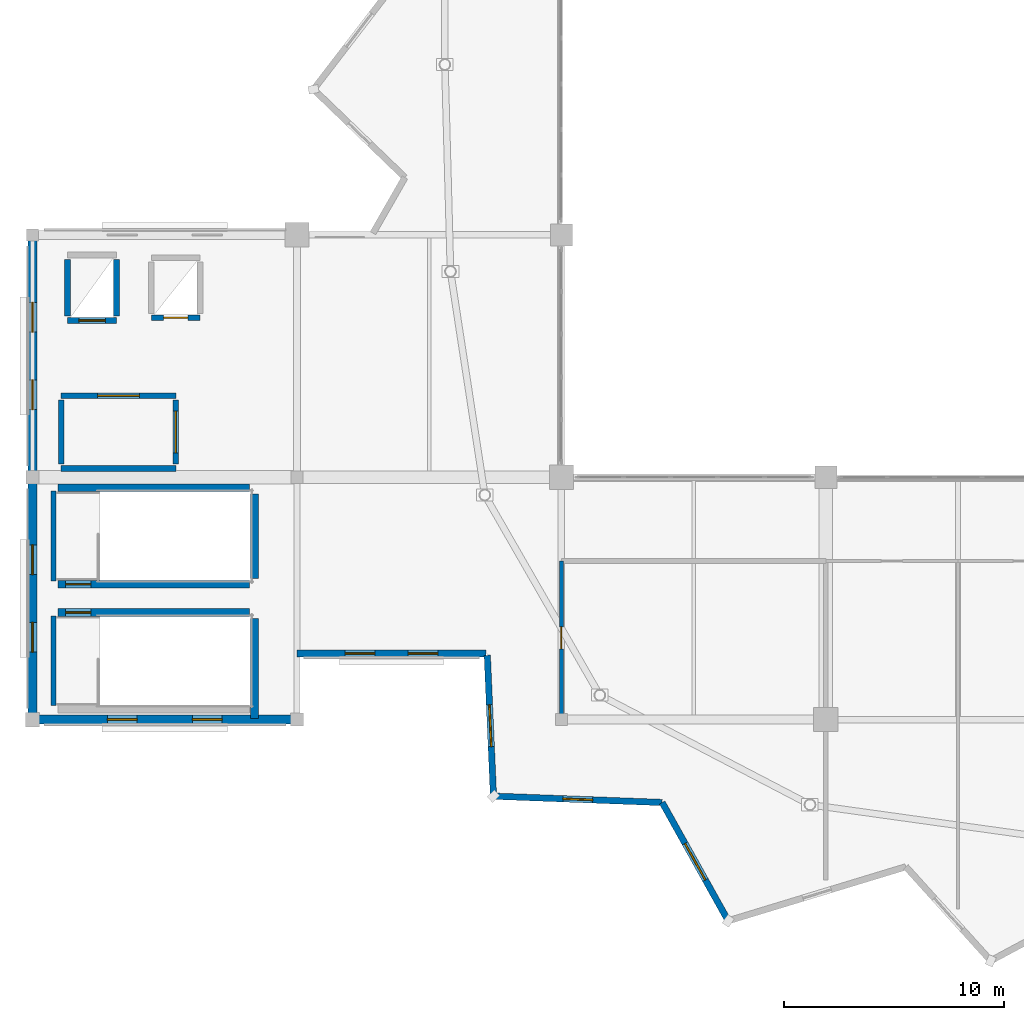
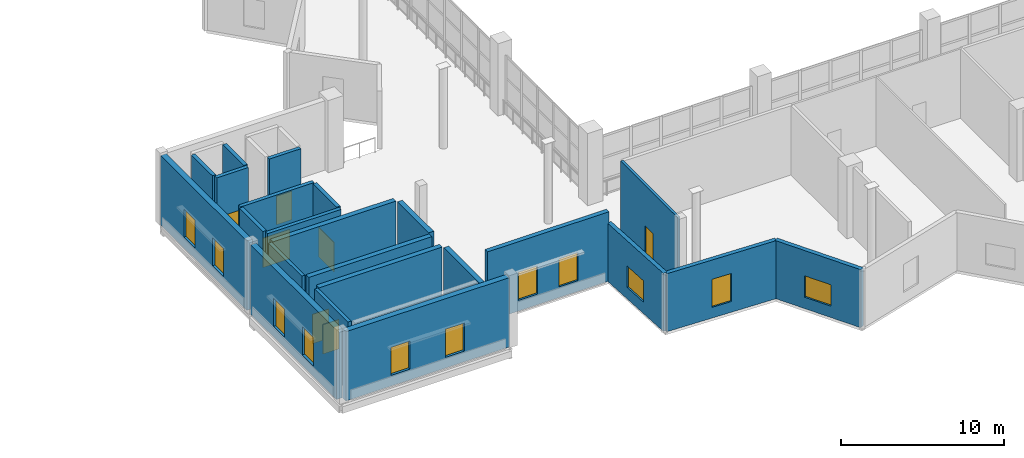
# One storey, part 36 of 49: 23 walls, 11 windows, 7 doors, 18 openings.
"""IFC4 building model written with IfcOpenShell, lengths in metres."""

from ifc_helpers import new_model, si_unit, direction, frame, frame_2d, origin, place, context, subcontext, project, spatial, rectangle, extrude, material, layer, layer_set, type_object, element, fill, save


model = new_model("IFC4")

# Units and contexts
model_context = context("Model", 3, precision=1e-05, world=origin(), true_north=direction((0.0, 1.0)))
body_context = subcontext(model_context, "Body", "Model", "MODEL_VIEW")
ifc_project = project(units=[si_unit("LENGTHUNIT", "METRE"), si_unit("AREAUNIT", "SQUARE_METRE"), si_unit("VOLUMEUNIT", "CUBIC_METRE"), si_unit("PLANEANGLEUNIT", "RADIAN"), si_unit("MASSUNIT", "GRAM", prefix="KILO")], contexts=[model_context])

# Site, building, storey
site_placement = place(None, origin())
site = spatial("IfcSite", under=ifc_project, at=site_placement, CompositionType="ELEMENT")
building_placement = place(site_placement, origin())
building = spatial("IfcBuilding", under=site, at=building_placement, Name="Luwafu Chhajja Arena", CompositionType="ELEMENT")
storey_placement = place(building_placement, frame((0.0, 0.0, 24.300048828125)))
storey = spatial("IfcBuildingStorey", under=building, at=storey_placement, Name="L05", CompositionType="ELEMENT", Elevation=24.300048828125)

# Wall, opening, door
ifc_material_1 = material(Name="Concrete C40/50", Category="concrete")
ifc_layer_1 = layer(ifc_material_1, 0.260009765625, Name="Concrete C40/50")
ifc_layer_set_1 = layer_set([ifc_layer_1], Name="Concrete C40/50")
wall_type_1 = type_object("IfcWallType", Name="Firefighting Lobby Wall 260", PredefinedType="SOLIDWALL", material=ifc_layer_set_1)
wall_1_placement = place(storey_placement, frame((35.300048828125, 25.699951171875, 0.0), z_axis=(0.0, 0.0, 1.0), x_axis=(1.0, 0.0, 0.0)))
wall_1 = element("IfcWall", 1, at=wall_1_placement, inside=storey, type_object=wall_type_1, Name="L05 Core C1 Firefighting Lobby Wall N", PredefinedType="SOLIDWALL", context=body_context, shape_type="SweptSolid", body=[
    extrude(rectangle(XDim=5.199951171875, YDim=0.260009765625, at=frame_2d((2.60009765625, 0.0))), origin(), (0.0, 0.0, 1.0), 5.179931640625),
])
opening_1_placement = place(wall_1_placement, frame((1.64990234375, 0.0, 0.0)))
opening_1 = element("IfcOpeningElement", 2, at=opening_1_placement, cuts=wall_1, Name="Opening DR-07", PredefinedType="OPENING", context=body_context, shape_type="SweptSolid", body=[
    extrude(rectangle(XDim=1.89990234375, YDim=2.199951171875, at=frame_2d((0.949951171875, 1.10009765625))), frame((0.0, 0.139892578125, 0.0), z_axis=(0.0, -1.0, 0.0), x_axis=(1.0, 0.0, 0.0)), (0.0, 0.0, 1.0), 0.280029296875),
])
ifc_material_2 = material(Name="Fire-rated hardwood and vision panel", Category="wood")
door_type_1 = type_object("IfcDoorType", Name="DR-07", OperationType="DOUBLE_DOOR_SINGLE_SWING", PredefinedType="DOOR", material=ifc_material_2)
door_1_placement = place(opening_1_placement, origin())
door_1 = element("IfcDoor", 3, at=door_1_placement, inside=storey, type_object=door_type_1, Name="L05 Firefighting Lobby C1 Door L05-D003", OperationType="DOUBLE_DOOR_SINGLE_SWING", OverallHeight=2.199951171875, OverallWidth=1.89990234375, PredefinedType="DOOR", context=body_context, shape_type="SweptSolid", body=[
    extrude(rectangle(XDim=1.89990234375, YDim=2.199951171875, at=frame_2d((0.949951171875, 1.10009765625))), frame((0.0, 0.02490234375, 0.0), z_axis=(0.0, -1.0, 0.0), x_axis=(1.0, 0.0, 0.0)), (0.0, 0.0, 1.0), 0.050048828125),
])
fill(opening_1, door_1)

# Walls
wall_2_placement = place(storey_placement, frame((35.300048828125, 22.39990234375, 0.0), z_axis=(0.0, 0.0, 1.0), x_axis=(1.0, 0.0, 0.0)))
element("IfcWall", 4, at=wall_2_placement, inside=storey, type_object=wall_type_1, Name="L05 Core C1 Firefighting Lobby Wall S", PredefinedType="SOLIDWALL", context=body_context, shape_type="SweptSolid", body=[
    extrude(rectangle(XDim=5.199951171875, YDim=0.260009765625, at=frame_2d((2.60009765625, 0.0))), origin(), (0.0, 0.0, 1.0), 5.179931640625),
])
wall_3_placement = place(storey_placement, frame((35.300048828125, 22.60009765625, 0.0), z_axis=(0.0, 0.0, 1.0), x_axis=(0.0, 1.0, 0.0)))
element("IfcWall", 5, at=wall_3_placement, inside=storey, type_object=wall_type_1, Name="L05 Core C1 Firefighting Lobby Wall W", PredefinedType="SOLIDWALL", context=body_context, shape_type="SweptSolid", body=[
    extrude(rectangle(XDim=2.89990234375, YDim=0.260009765625, at=frame_2d((1.449951171875, 0.0))), origin(), (0.0, 0.0, 1.0), 5.179931640625),
])

# Wall, opening, door
wall_4_placement = place(storey_placement, frame((40.5, 22.60009765625, 0.0), z_axis=(0.0, 0.0, 1.0), x_axis=(0.0, 1.0, 0.0)))
wall_4 = element("IfcWall", 6, at=wall_4_placement, inside=storey, type_object=wall_type_1, Name="L05 Core C1 Firefighting Lobby Wall E", PredefinedType="SOLIDWALL", context=body_context, shape_type="SweptSolid", body=[
    extrude(rectangle(XDim=2.89990234375, YDim=0.260009765625, at=frame_2d((1.449951171875, 0.0))), origin(), (0.0, 0.0, 1.0), 5.179931640625),
])
opening_2_placement = place(wall_4_placement, frame((0.5, 0.0, 0.0)))
opening_2 = element("IfcOpeningElement", 7, at=opening_2_placement, cuts=wall_4, Name="Opening DR-07", PredefinedType="OPENING", context=body_context, shape_type="SweptSolid", body=[
    extrude(rectangle(XDim=1.89990234375, YDim=2.199951171875, at=frame_2d((0.949951171875, 1.10009765625))), frame((0.0, 0.139892578125, 0.0), z_axis=(0.0, -1.0, 0.0), x_axis=(1.0, 0.0, 0.0)), (0.0, 0.0, 1.0), 0.280029296875),
])
door_2_placement = place(opening_2_placement, origin())
door_2 = element("IfcDoor", 8, at=door_2_placement, inside=storey, type_object=door_type_1, Name="L05 Firefighting Lobby C1 Door L05-D004", OperationType="DOUBLE_DOOR_SINGLE_SWING", OverallHeight=2.199951171875, OverallWidth=1.89990234375, PredefinedType="DOOR", context=body_context, shape_type="SweptSolid", body=[
    extrude(rectangle(XDim=1.89990234375, YDim=2.199951171875, at=frame_2d((0.949951171875, 1.10009765625))), frame((0.0, 0.02490234375, 0.0), z_axis=(0.0, -1.0, 0.0), x_axis=(1.0, 0.0, 0.0)), (0.0, 0.0, 1.0), 0.050048828125),
])
fill(opening_2, door_2)

ifc_material_3 = material(Name="Concrete blockwork masonry", Category="masonry")
ifc_layer_2 = layer(ifc_material_3, 0.179931640625, Name="Concrete blockwork masonry")
ifc_layer_set_2 = layer_set([ifc_layer_2], Name="Concrete blockwork masonry")
wall_type_2 = type_object("IfcWallType", Name="Hospitality Suite Partition 180", PredefinedType="PARTITIONING", material=ifc_layer_set_2)
wall_5_placement = place(storey_placement, frame((58.0, 11.219970703125, 0.0), z_axis=(0.0, 0.0, 1.0), x_axis=(0.0, 1.0, 0.0)))
wall_5 = element("IfcWall", 9, at=wall_5_placement, inside=storey, type_object=wall_type_2, Name="L05 Internal Partition 0336", PredefinedType="PARTITIONING", context=body_context, shape_type="SweptSolid", body=[
    extrude(rectangle(XDim=6.97998046875, YDim=0.179931640625, at=frame_2d((3.489990234375, 0.0))), origin(), (0.0, 0.0, 1.0), 5.179931640625),
])
opening_3_placement = place(wall_5_placement, frame((2.989990234375, 0.0, 0.0)))
opening_3 = element("IfcOpeningElement", 10, at=opening_3_placement, cuts=wall_5, Name="Opening DR-18", PredefinedType="OPENING", context=body_context, shape_type="SweptSolid", body=[
    extrude(rectangle(XDim=1.0, YDim=2.14990234375, at=frame_2d((0.5, 1.074951171875))), frame((0.0, 0.099853515625, 0.0), z_axis=(0.0, -1.0, 0.0), x_axis=(1.0, 0.0, 0.0)), (0.0, 0.0, 1.0), 0.199951171875),
])
ifc_material_4 = material(Name="Solid-core moisture-resistant laminate leaf")
door_type_2 = type_object("IfcDoorType", Name="DR-18", OperationType="NOTDEFINED", PredefinedType="DOOR", material=ifc_material_4)
door_3_placement = place(opening_3_placement, origin())
door_3 = element("IfcDoor", 11, at=door_3_placement, inside=storey, type_object=door_type_2, Name="L05 Interior Door L05-D017", OperationType="SINGLE_SWING_RIGHT", OverallHeight=2.14990234375, OverallWidth=1.0, PredefinedType="DOOR", context=body_context, shape_type="SweptSolid", body=[
    extrude(rectangle(XDim=1.0, YDim=2.14990234375, at=frame_2d((0.5, 1.074951171875))), frame((0.0, 0.02490234375, 0.0), z_axis=(0.0, -1.0, 0.0), x_axis=(1.0, 0.0, 0.0)), (0.0, 0.0, 1.0), 0.050048828125),
])
fill(opening_3, door_3)

ifc_material_5 = material(Name="Concrete C35/45", Category="concrete")
ifc_layer_3 = layer(ifc_material_5, 0.260009765625, Name="Concrete C35/45")
ifc_layer_set_3 = layer_set([ifc_layer_3], Name="Concrete C35/45")
wall_type_3 = type_object("IfcWallType", Name="Lift and Riser Shaft Wall 260", PredefinedType="SOLIDWALL", material=ifc_layer_set_3)
wall_6_placement = place(storey_placement, frame((35.590087890625, 29.114990234375, 0.0), z_axis=(0.0, 0.0, 1.0), x_axis=(1.0, 0.0, 0.0)))
wall_6 = element("IfcWall", 12, at=wall_6_placement, inside=storey, type_object=wall_type_3, Name="L05 Lift LF-01 Shaft Wall S", PredefinedType="SOLIDWALL", context=body_context, shape_type="SweptSolid", body=[
    extrude(rectangle(XDim=2.219970703125, YDim=0.260009765625, at=frame_2d((1.10986328125, 0.0))), origin(), (0.0, 0.0, 1.0), 5.179931640625),
])
opening_4_placement = place(wall_6_placement, frame((0.510009765625, 0.0, 0.0)))
opening_4 = element("IfcOpeningElement", 13, at=opening_4_placement, cuts=wall_6, Name="Opening LD-02", PredefinedType="OPENING", context=body_context, shape_type="SweptSolid", body=[
    extrude(rectangle(XDim=1.199951171875, YDim=2.199951171875, at=frame_2d((0.60009765625, 1.10009765625))), frame((0.0, 0.139892578125, 0.0), z_axis=(0.0, -1.0, 0.0), x_axis=(1.0, 0.0, 0.0)), (0.0, 0.0, 1.0), 0.280029296875),
])
ifc_material_6 = material(Name="Brushed stainless steel sliding leaves", Category="steel")
door_type_3 = type_object("IfcDoorType", Name="LD-02", OperationType="SLIDING_TO_LEFT", PredefinedType="DOOR", material=ifc_material_6)
door_4_placement = place(opening_4_placement, origin())
door_4 = element("IfcDoor", 14, at=door_4_placement, inside=storey, type_object=door_type_3, Name="L05 Lift LF-01 Landing Door L05-LD01", OperationType="SLIDING_TO_LEFT", OverallHeight=2.199951171875, OverallWidth=1.199951171875, PredefinedType="DOOR", context=body_context, shape_type="SweptSolid", body=[
    extrude(rectangle(XDim=1.199951171875, YDim=2.199951171875, at=frame_2d((0.60009765625, 1.10009765625))), frame((0.0, 0.02490234375, 0.0), z_axis=(0.0, -1.0, 0.0), x_axis=(1.0, 0.0, 0.0)), (0.0, 0.0, 1.0), 0.050048828125),
])
fill(opening_4, door_4)

# Walls
for number, where, z_axis, x_axis, name in (
    (15, (35.590087890625, 29.31494140625, 0.0), (0.0, 0.0, 1.0), (0.0, 1.0, 0.0), "L05 Lift LF-01 Shaft Wall W"),
    (16, (37.81005859375, 29.31494140625, 0.0), (0.0, 0.0, 1.0), (0.0, 1.0, 0.0), "L05 Lift LF-01 Shaft Wall E"),
):
    element("IfcWall", number, at=place(storey_placement, frame(where, z_axis=z_axis, x_axis=x_axis)), inside=storey, type_object=wall_type_3, Name=name, PredefinedType="SOLIDWALL", context=body_context, shape_type="SweptSolid", body=[
        extrude(rectangle(XDim=2.570068359375, YDim=0.260009765625, at=frame_2d((1.28515625, 0.0))), origin(), (0.0, 0.0, 1.0), 5.179931640625),
    ])

# Wall, opening, door
wall_7_placement = place(storey_placement, frame((39.389892578125, 29.239990234375, 0.0), z_axis=(0.0, 0.0, 1.0), x_axis=(1.0, 0.0, 0.0)))
wall_7 = element("IfcWall", 17, at=wall_7_placement, inside=storey, type_object=wall_type_3, Name="L05 Lift LF-05 Shaft Wall S", PredefinedType="SOLIDWALL", context=body_context, shape_type="SweptSolid", body=[
    extrude(rectangle(XDim=2.22021484375, YDim=0.260009765625, at=frame_2d((1.110107421875, 0.0))), origin(), (0.0, 0.0, 1.0), 5.179931640625),
])
opening_5_placement = place(wall_7_placement, frame((0.56005859375, 0.0, 0.0)))
opening_5 = element("IfcOpeningElement", 18, at=opening_5_placement, cuts=wall_7, Name="Opening LD-01", PredefinedType="OPENING", context=body_context, shape_type="SweptSolid", body=[
    extrude(rectangle(XDim=1.10009765625, YDim=2.14990234375, at=frame_2d((0.550048828125, 1.074951171875))), frame((0.0, 0.139892578125, 0.0), z_axis=(0.0, -1.0, 0.0), x_axis=(1.0, 0.0, 0.0)), (0.0, 0.0, 1.0), 0.280029296875),
])
door_type_4 = type_object("IfcDoorType", Name="LD-01", OperationType="SLIDING_TO_LEFT", PredefinedType="DOOR", material=ifc_material_6)
door_5_placement = place(opening_5_placement, origin())
door_5 = element("IfcDoor", 19, at=door_5_placement, inside=storey, type_object=door_type_4, Name="L05 Lift LF-05 Landing Door L05-LD02", OperationType="SLIDING_TO_LEFT", OverallHeight=2.14990234375, OverallWidth=1.10009765625, PredefinedType="DOOR", context=body_context, shape_type="SweptSolid", body=[
    extrude(rectangle(XDim=1.10009765625, YDim=2.14990234375, at=frame_2d((0.550048828125, 1.074951171875))), frame((0.0, 0.02490234375, 0.0), z_axis=(0.0, -1.0, 0.0), x_axis=(1.0, 0.0, 0.0)), (0.0, 0.0, 1.0), 0.050048828125),
])
fill(opening_5, door_5)

# Wall, opening, window
ifc_material_7 = material(Name="Precast concrete C40/50", Category="concrete")
ifc_layer_4 = layer(ifc_material_7, 0.2900390625, Name="Precast concrete C40/50")
ifc_layer_set_4 = layer_set([ifc_layer_4], Name="Precast concrete C40/50")
wall_type_4 = type_object("IfcWallType", Name="Pleated Bowl Upper V-Fold Wall 290", PredefinedType="USERDEFINED", material=ifc_layer_set_4)
wall_8_placement = place(storey_placement, frame((54.637451171875, 13.919921875, 0.0), z_axis=(0.0, 0.0, 1.0), x_axis=(0.043587819379, -0.99904959937, 0.0)))
wall_8 = element("IfcWall", 20, at=wall_8_placement, inside=storey, type_object=wall_type_4, Name="L05 Pleated Bowl V-Fold Wall 40", ObjectType="PLEATED FACADE WALL", PredefinedType="USERDEFINED", context=body_context, shape_type="SweptSolid", body=[
    extrude(rectangle(XDim=6.402099609375, YDim=0.2900390625, at=frame_2d((3.201171875, 0.0))), origin(), (0.0, 0.0, 1.0), 4.33984375),
])
opening_6_placement = place(wall_8_placement, frame((2.2509765625, 0.0, 0.85009765625)))
opening_6 = element("IfcOpeningElement", 21, at=opening_6_placement, cuts=wall_8, Name="Opening WN-15", PredefinedType="OPENING", context=body_context, shape_type="SweptSolid", body=[
    extrude(rectangle(XDim=1.89990234375, YDim=1.60009765625, at=frame_2d((0.949951171875, 0.800048828125))), frame((0.0, 0.155029296875, 0.0), z_axis=(0.0, -1.0, 0.0), x_axis=(1.0, 0.0, 0.0)), (0.0, 0.0, 1.0), 0.31005859375),
])
ifc_material_8 = material(Name="Solar-control laminated glass", Category="glass")
window_type_1 = type_object("IfcWindowType", Name="Pleated Drum Inward-Fold Clerestory 1900x1600", PartitioningType="SINGLE_PANEL", PredefinedType="WINDOW", material=ifc_material_8)
window_1_placement = place(opening_6_placement, origin())
window_1 = element("IfcWindow", 22, at=window_1_placement, inside=storey, type_object=window_type_1, Name="L05 Pleated Bowl Lancet Window 160", OverallHeight=1.60009765625, OverallWidth=1.89990234375, PartitioningType="SINGLE_PANEL", PredefinedType="WINDOW", context=body_context, shape_type="SweptSolid", body=[
    extrude(rectangle(XDim=1.89990234375, YDim=1.60009765625, at=frame_2d((0.949951171875, 0.800048828125))), frame((0.0, 0.030029296875, 0.0), z_axis=(0.0, -1.0, 0.0), x_axis=(1.0, 0.0, 0.0)), (0.0, 0.0, 1.0), 0.06005859375),
])
fill(opening_6, window_1)

wall_9_placement = place(storey_placement, frame((54.91650390625, 7.52392578125, 0.0), z_axis=(0.0, 0.0, 1.0), x_axis=(0.999297884119, -0.037466502319, 0.0)))
wall_9 = element("IfcWall", 23, at=wall_9_placement, inside=storey, type_object=wall_type_4, Name="L05 Pleated Bowl V-Fold Wall 41", ObjectType="PLEATED FACADE WALL", PredefinedType="USERDEFINED", context=body_context, shape_type="SweptSolid", body=[
    extrude(rectangle(XDim=7.6630859375, YDim=0.2900390625, at=frame_2d((3.83154296875, 0.0))), origin(), (0.0, 0.0, 1.0), 4.33984375),
])
opening_7_placement = place(wall_9_placement, frame((3.156494140625, 0.0, 0.800048828125)))
opening_7 = element("IfcOpeningElement", 24, at=opening_7_placement, cuts=wall_9, Name="Opening WN-17", PredefinedType="OPENING", context=body_context, shape_type="SweptSolid", body=[
    extrude(rectangle(XDim=1.35009765625, YDim=2.10009765625, at=frame_2d((0.675048828125, 1.050048828125))), frame((0.0, 0.155029296875, 0.0), z_axis=(0.0, -1.0, 0.0), x_axis=(1.0, 0.0, 0.0)), (0.0, 0.0, 1.0), 0.31005859375),
])
window_type_2 = type_object("IfcWindowType", Name="Exhibition Mezzanine Lancet Window 1350x2100", PartitioningType="SINGLE_PANEL", PredefinedType="WINDOW", material=ifc_material_8)
window_2_placement = place(opening_7_placement, origin())
window_2 = element("IfcWindow", 25, at=window_2_placement, inside=storey, type_object=window_type_2, Name="L05 Pleated Bowl Lancet Window 161", OverallHeight=2.10009765625, OverallWidth=1.35009765625, PartitioningType="SINGLE_PANEL", PredefinedType="WINDOW", context=body_context, shape_type="SweptSolid", body=[
    extrude(rectangle(XDim=1.35009765625, YDim=2.10009765625, at=frame_2d((0.675048828125, 1.050048828125))), frame((0.0, 0.030029296875, 0.0), z_axis=(0.0, -1.0, 0.0), x_axis=(1.0, 0.0, 0.0)), (0.0, 0.0, 1.0), 0.06005859375),
])
fill(opening_7, window_2)

wall_10_placement = place(storey_placement, frame((62.57421875, 7.23681640625, 0.0), z_axis=(0.0, 0.0, 1.0), x_axis=(0.487306352228, -0.87323108, 0.0)))
wall_10 = element("IfcWall", 26, at=wall_10_placement, inside=storey, type_object=wall_type_4, Name="L05 Pleated Bowl V-Fold Wall 42", ObjectType="PLEATED FACADE WALL", PredefinedType="USERDEFINED", context=body_context, shape_type="SweptSolid", body=[
    extrude(rectangle(XDim=6.15283203125, YDim=0.2900390625, at=frame_2d((3.076416015625, 0.0))), origin(), (0.0, 0.0, 1.0), 4.33984375),
])
opening_8_placement = place(wall_10_placement, frame((2.12646484375, 0.0, 0.85009765625)))
opening_8 = element("IfcOpeningElement", 27, at=opening_8_placement, cuts=wall_10, Name="Opening WN-15", PredefinedType="OPENING", context=body_context, shape_type="SweptSolid", body=[
    extrude(rectangle(XDim=1.89990234375, YDim=1.60009765625, at=frame_2d((0.949951171875, 0.800048828125))), frame((0.0, 0.155029296875, 0.0), z_axis=(0.0, -1.0, 0.0), x_axis=(1.0, 0.0, 0.0)), (0.0, 0.0, 1.0), 0.31005859375),
])
window_3_placement = place(opening_8_placement, origin())
window_3 = element("IfcWindow", 28, at=window_3_placement, inside=storey, type_object=window_type_1, Name="L05 Pleated Bowl Lancet Window 162", OverallHeight=1.60009765625, OverallWidth=1.89990234375, PartitioningType="SINGLE_PANEL", PredefinedType="WINDOW", context=body_context, shape_type="SweptSolid", body=[
    extrude(rectangle(XDim=1.89990234375, YDim=1.60009765625, at=frame_2d((0.949951171875, 0.800048828125))), frame((0.0, 0.030029296875, 0.0), z_axis=(0.0, -1.0, 0.0), x_axis=(1.0, 0.0, 0.0)), (0.0, 0.0, 1.0), 0.06005859375),
])
fill(opening_8, window_3)

# Wall
ifc_layer_5 = layer(ifc_material_1, 0.35009765625, Name="Concrete C40/50")
ifc_layer_set_5 = layer_set([ifc_layer_5], Name="Concrete C40/50")
wall_type_5 = type_object("IfcWallType", Name="RC Core Shear Wall 350", PredefinedType="SOLIDWALL", material=ifc_layer_set_5)
wall_11_placement = place(storey_placement, frame((44.072021484375, 11.050048828125, 0.0), z_axis=(0.0, 0.0, 1.0), x_axis=(0.0, 1.0, 0.0)))
element("IfcWall", 29, at=wall_11_placement, inside=storey, type_object=wall_type_5, Name="L05 Stair ST-01 Core Shear Wall E", PredefinedType="SOLIDWALL", context=body_context, shape_type="SweptSolid", body=[
    extrude(rectangle(XDim=4.5400390625, YDim=0.35009765625, at=frame_2d((2.27001953125, 0.0))), origin(), (0.0, 0.0, 1.0), 5.179931640625),
])

# Wall, opening, door
wall_12_placement = place(storey_placement, frame((35.14990234375, 15.862060546875, 0.0), z_axis=(0.0, 0.0, 1.0), x_axis=(1.0, 0.0, 0.0)))
wall_12 = element("IfcWall", 30, at=wall_12_placement, inside=storey, type_object=wall_type_5, Name="L05 Stair ST-01 Core Shear Wall N", PredefinedType="SOLIDWALL", context=body_context, shape_type="SweptSolid", body=[
    extrude(rectangle(XDim=8.7001953125, YDim=0.35009765625, at=frame_2d((4.35009765625, 0.0))), origin(), (0.0, 0.0, 1.0), 5.179931640625),
])
opening_9_placement = place(wall_12_placement, frame((0.35009765625, 0.0, 0.0)))
opening_9 = element("IfcOpeningElement", 31, at=opening_9_placement, cuts=wall_12, Name="Opening DR-06", PredefinedType="OPENING", context=body_context, shape_type="SweptSolid", body=[
    extrude(rectangle(XDim=1.14990234375, YDim=2.199951171875, at=frame_2d((0.574951171875, 1.10009765625))), frame((0.0, 0.18505859375, 0.0), z_axis=(0.0, -1.0, 0.0), x_axis=(1.0, 0.0, 0.0)), (0.0, 0.0, 1.0), 0.3701171875),
])
ifc_material_9 = material(Name="Fire-rated hardwood and steel core", Category="steel")
door_type_5 = type_object("IfcDoorType", Name="DR-06", OperationType="NOTDEFINED", PredefinedType="DOOR", material=ifc_material_9)
door_6_placement = place(opening_9_placement, origin())
door_6 = element("IfcDoor", 32, at=door_6_placement, inside=storey, type_object=door_type_5, Name="L05 Escape Stair ST-01 Fire Door L05-D001", OperationType="SINGLE_SWING_RIGHT", OverallHeight=2.199951171875, OverallWidth=1.14990234375, PredefinedType="DOOR", context=body_context, shape_type="SweptSolid", body=[
    extrude(rectangle(XDim=1.14990234375, YDim=2.199951171875, at=frame_2d((0.574951171875, 1.10009765625))), frame((0.0, 0.02490234375, 0.0), z_axis=(0.0, -1.0, 0.0), x_axis=(1.0, 0.0, 0.0)), (0.0, 0.0, 1.0), 0.050048828125),
])
fill(opening_9, door_6)

# Wall
wall_13_placement = place(storey_placement, frame((44.072021484375, 17.409912109375, 0.0), z_axis=(0.0, 0.0, 1.0), x_axis=(0.0, 1.0, 0.0)))
element("IfcWall", 33, at=wall_13_placement, inside=storey, type_object=wall_type_5, Name="L05 Stair ST-02 Core Shear Wall E", PredefinedType="SOLIDWALL", context=body_context, shape_type="SweptSolid", body=[
    extrude(rectangle(XDim=3.840087890625, YDim=0.35009765625, at=frame_2d((1.919921875, 0.0))), origin(), (0.0, 0.0, 1.0), 5.179931640625),
])

# Wall, opening, door
wall_14_placement = place(storey_placement, frame((35.14990234375, 17.137939453125, 0.0), z_axis=(0.0, 0.0, 1.0), x_axis=(1.0, 0.0, 0.0)))
wall_14 = element("IfcWall", 34, at=wall_14_placement, inside=storey, type_object=wall_type_5, Name="L05 Stair ST-02 Core Shear Wall S", PredefinedType="SOLIDWALL", context=body_context, shape_type="SweptSolid", body=[
    extrude(rectangle(XDim=8.7001953125, YDim=0.35009765625, at=frame_2d((4.35009765625, 0.0))), origin(), (0.0, 0.0, 1.0), 5.179931640625),
])
opening_10_placement = place(wall_14_placement, frame((0.35009765625, 0.0, 0.0)))
opening_10 = element("IfcOpeningElement", 35, at=opening_10_placement, cuts=wall_14, Name="Opening DR-06", PredefinedType="OPENING", context=body_context, shape_type="SweptSolid", body=[
    extrude(rectangle(XDim=1.14990234375, YDim=2.199951171875, at=frame_2d((0.574951171875, 1.10009765625))), frame((0.0, 0.18505859375, 0.0), z_axis=(0.0, -1.0, 0.0), x_axis=(1.0, 0.0, 0.0)), (0.0, 0.0, 1.0), 0.3701171875),
])
door_7_placement = place(opening_10_placement, origin())
door_7 = element("IfcDoor", 36, at=door_7_placement, inside=storey, type_object=door_type_5, Name="L05 Escape Stair ST-02 Fire Door L05-D002", OperationType="SINGLE_SWING_LEFT", OverallHeight=2.199951171875, OverallWidth=1.14990234375, PredefinedType="DOOR", context=body_context, shape_type="SweptSolid", body=[
    extrude(rectangle(XDim=1.14990234375, YDim=2.199951171875, at=frame_2d((0.574951171875, 1.10009765625))), frame((0.0, 0.02490234375, 0.0), z_axis=(0.0, -1.0, 0.0), x_axis=(1.0, 0.0, 0.0)), (0.0, 0.0, 1.0), 0.050048828125),
])
fill(opening_10, door_7)

# Wall
wall_15_placement = place(storey_placement, frame((35.14990234375, 21.52197265625, 0.0), z_axis=(0.0, 0.0, 1.0), x_axis=(1.0, 0.0, 0.0)))
element("IfcWall", 37, at=wall_15_placement, inside=storey, type_object=wall_type_5, Name="L05 Stair ST-02 Core Shear Wall N", PredefinedType="SOLIDWALL", context=body_context, shape_type="SweptSolid", body=[
    extrude(rectangle(XDim=8.7001953125, YDim=0.35009765625, at=frame_2d((4.35009765625, 0.0))), origin(), (0.0, 0.0, 1.0), 5.179931640625),
])

# Wall, openings, windows
ifc_layer_6 = layer(ifc_material_1, 0.39990234375, Name="Concrete C40/50")
ifc_layer_set_6 = layer_set([ifc_layer_6], Name="Concrete C40/50")
wall_type_6 = type_object("IfcWallType", Name="RC Core Shear Wall 400", PredefinedType="SOLIDWALL", material=ifc_layer_set_6)
wall_16_placement = place(storey_placement, frame((34.219970703125, 11.0, 0.0), z_axis=(0.0, 0.0, 1.0), x_axis=(1.0, 0.0, 0.0)))
wall_16 = element("IfcWall", 38, at=wall_16_placement, inside=storey, type_object=wall_type_6, Name="L05 Exterior Wall WEX-L05-232", PredefinedType="SOLIDWALL", context=body_context, shape_type="SweptSolid", body=[
    extrude(rectangle(XDim=11.56005859375, YDim=0.39990234375, at=frame_2d((5.780029296875, 0.0))), origin(), (0.0, 0.0, 1.0), 5.18505859375),
])
opening_11_placement = place(wall_16_placement, frame((3.17822265625, 0.0, 0.800048828125)))
opening_11 = element("IfcOpeningElement", 39, at=opening_11_placement, cuts=wall_16, Name="Opening WN-17", PredefinedType="OPENING", context=body_context, shape_type="SweptSolid", body=[
    extrude(rectangle(XDim=1.35009765625, YDim=2.10009765625, at=frame_2d((0.675048828125, 1.050048828125))), frame((0.0, 0.2099609375, 0.0), z_axis=(0.0, -1.0, 0.0), x_axis=(1.0, 0.0, 0.0)), (0.0, 0.0, 1.0), 0.419921875),
])
opening_12_placement = place(wall_16_placement, frame((7.03173828125, 0.0, 0.800048828125)))
opening_12 = element("IfcOpeningElement", 40, at=opening_12_placement, cuts=wall_16, Name="Opening WN-17", PredefinedType="OPENING", context=body_context, shape_type="SweptSolid", body=[
    extrude(rectangle(XDim=1.35009765625, YDim=2.10009765625, at=frame_2d((0.675048828125, 1.050048828125))), frame((0.0, 0.2099609375, 0.0), z_axis=(0.0, -1.0, 0.0), x_axis=(1.0, 0.0, 0.0)), (0.0, 0.0, 1.0), 0.419921875),
])
window_4_placement = place(opening_11_placement, origin())
window_4 = element("IfcWindow", 41, at=window_4_placement, inside=storey, type_object=window_type_2, Name="L05 Facade Window 210", OverallHeight=2.10009765625, OverallWidth=1.35009765625, PartitioningType="SINGLE_PANEL", PredefinedType="WINDOW", context=body_context, shape_type="SweptSolid", body=[
    extrude(rectangle(XDim=1.35009765625, YDim=2.10009765625, at=frame_2d((0.675048828125, 1.050048828125))), frame((0.0, 0.030029296875, 0.0), z_axis=(0.0, -1.0, 0.0), x_axis=(1.0, 0.0, 0.0)), (0.0, 0.0, 1.0), 0.06005859375),
])
fill(opening_11, window_4)
window_5_placement = place(opening_12_placement, origin())
window_5 = element("IfcWindow", 42, at=window_5_placement, inside=storey, type_object=window_type_2, Name="L05 Facade Window 211", OverallHeight=2.10009765625, OverallWidth=1.35009765625, PartitioningType="SINGLE_PANEL", PredefinedType="WINDOW", context=body_context, shape_type="SweptSolid", body=[
    extrude(rectangle(XDim=1.35009765625, YDim=2.10009765625, at=frame_2d((0.675048828125, 1.050048828125))), frame((0.0, 0.030029296875, 0.0), z_axis=(0.0, -1.0, 0.0), x_axis=(1.0, 0.0, 0.0)), (0.0, 0.0, 1.0), 0.06005859375),
])
fill(opening_12, window_5)

wall_17_placement = place(storey_placement, frame((34.0, 11.219970703125, 0.0), z_axis=(0.0, 0.0, 1.0), x_axis=(0.0, 1.0, 0.0)))
wall_17 = element("IfcWall", 43, at=wall_17_placement, inside=storey, type_object=wall_type_6, Name="L05 Exterior Wall WEX-L05-233", PredefinedType="SOLIDWALL", context=body_context, shape_type="SweptSolid", body=[
    extrude(rectangle(XDim=10.56005859375, YDim=0.39990234375, at=frame_2d((5.280029296875, 0.0))), origin(), (0.0, 0.0, 1.0), 5.18505859375),
])
opening_13_placement = place(wall_17_placement, frame((2.844970703125, 0.0, 0.800048828125)))
opening_13 = element("IfcOpeningElement", 44, at=opening_13_placement, cuts=wall_17, Name="Opening WN-17", PredefinedType="OPENING", context=body_context, shape_type="SweptSolid", body=[
    extrude(rectangle(XDim=1.35009765625, YDim=2.10009765625, at=frame_2d((0.675048828125, 1.050048828125))), frame((0.0, 0.2099609375, 0.0), z_axis=(0.0, -1.0, 0.0), x_axis=(1.0, 0.0, 0.0)), (0.0, 0.0, 1.0), 0.419921875),
])
opening_14_placement = place(wall_17_placement, frame((6.364990234375, 0.0, 0.800048828125)))
opening_14 = element("IfcOpeningElement", 45, at=opening_14_placement, cuts=wall_17, Name="Opening WN-17", PredefinedType="OPENING", context=body_context, shape_type="SweptSolid", body=[
    extrude(rectangle(XDim=1.35009765625, YDim=2.10009765625, at=frame_2d((0.675048828125, 1.050048828125))), frame((0.0, 0.2099609375, 0.0), z_axis=(0.0, -1.0, 0.0), x_axis=(1.0, 0.0, 0.0)), (0.0, 0.0, 1.0), 0.419921875),
])
window_6_placement = place(opening_13_placement, origin())
window_6 = element("IfcWindow", 46, at=window_6_placement, inside=storey, type_object=window_type_2, Name="L05 Facade Window 212", OverallHeight=2.10009765625, OverallWidth=1.35009765625, PartitioningType="SINGLE_PANEL", PredefinedType="WINDOW", context=body_context, shape_type="SweptSolid", body=[
    extrude(rectangle(XDim=1.35009765625, YDim=2.10009765625, at=frame_2d((0.675048828125, 1.050048828125))), frame((0.0, 0.030029296875, 0.0), z_axis=(0.0, -1.0, 0.0), x_axis=(1.0, 0.0, 0.0)), (0.0, 0.0, 1.0), 0.06005859375),
])
fill(opening_13, window_6)
window_7_placement = place(opening_14_placement, origin())
window_7 = element("IfcWindow", 47, at=window_7_placement, inside=storey, type_object=window_type_2, Name="L05 Facade Window 213", OverallHeight=2.10009765625, OverallWidth=1.35009765625, PartitioningType="SINGLE_PANEL", PredefinedType="WINDOW", context=body_context, shape_type="SweptSolid", body=[
    extrude(rectangle(XDim=1.35009765625, YDim=2.10009765625, at=frame_2d((0.675048828125, 1.050048828125))), frame((0.0, 0.030029296875, 0.0), z_axis=(0.0, -1.0, 0.0), x_axis=(1.0, 0.0, 0.0)), (0.0, 0.0, 1.0), 0.06005859375),
])
fill(opening_14, window_7)

wall_18_placement = place(storey_placement, frame((34.0, 22.219970703125, 0.0), z_axis=(0.0, 0.0, 1.0), x_axis=(0.0, 1.0, 0.0)))
wall_18 = element("IfcWall", 48, at=wall_18_placement, inside=storey, type_object=wall_type_6, Name="L05 Exterior Wall WEX-L05-235", PredefinedType="SOLIDWALL", context=body_context, shape_type="SweptSolid", body=[
    extrude(rectangle(XDim=10.56005859375, YDim=0.39990234375, at=frame_2d((5.280029296875, 0.0))), origin(), (0.0, 0.0, 1.0), 5.18505859375),
])
opening_15_placement = place(wall_18_placement, frame((2.844970703125, 0.0, 0.800048828125)))
opening_15 = element("IfcOpeningElement", 49, at=opening_15_placement, cuts=wall_18, Name="Opening WN-17", PredefinedType="OPENING", context=body_context, shape_type="SweptSolid", body=[
    extrude(rectangle(XDim=1.35009765625, YDim=2.10009765625, at=frame_2d((0.675048828125, 1.050048828125))), frame((0.0, 0.2099609375, 0.0), z_axis=(0.0, -1.0, 0.0), x_axis=(1.0, 0.0, 0.0)), (0.0, 0.0, 1.0), 0.419921875),
])
opening_16_placement = place(wall_18_placement, frame((6.364990234375, 0.0, 0.800048828125)))
opening_16 = element("IfcOpeningElement", 50, at=opening_16_placement, cuts=wall_18, Name="Opening WN-17", PredefinedType="OPENING", context=body_context, shape_type="SweptSolid", body=[
    extrude(rectangle(XDim=1.35009765625, YDim=2.10009765625, at=frame_2d((0.675048828125, 1.050048828125))), frame((0.0, 0.2099609375, 0.0), z_axis=(0.0, -1.0, 0.0), x_axis=(1.0, 0.0, 0.0)), (0.0, 0.0, 1.0), 0.419921875),
])
window_8_placement = place(opening_15_placement, origin())
window_8 = element("IfcWindow", 51, at=window_8_placement, inside=storey, type_object=window_type_2, Name="L05 Facade Window 216", OverallHeight=2.10009765625, OverallWidth=1.35009765625, PartitioningType="SINGLE_PANEL", PredefinedType="WINDOW", context=body_context, shape_type="SweptSolid", body=[
    extrude(rectangle(XDim=1.35009765625, YDim=2.10009765625, at=frame_2d((0.675048828125, 1.050048828125))), frame((0.0, 0.030029296875, 0.0), z_axis=(0.0, -1.0, 0.0), x_axis=(1.0, 0.0, 0.0)), (0.0, 0.0, 1.0), 0.06005859375),
])
fill(opening_15, window_8)
window_9_placement = place(opening_16_placement, origin())
window_9 = element("IfcWindow", 52, at=window_9_placement, inside=storey, type_object=window_type_2, Name="L05 Facade Window 217", OverallHeight=2.10009765625, OverallWidth=1.35009765625, PartitioningType="SINGLE_PANEL", PredefinedType="WINDOW", context=body_context, shape_type="SweptSolid", body=[
    extrude(rectangle(XDim=1.35009765625, YDim=2.10009765625, at=frame_2d((0.675048828125, 1.050048828125))), frame((0.0, 0.030029296875, 0.0), z_axis=(0.0, -1.0, 0.0), x_axis=(1.0, 0.0, 0.0)), (0.0, 0.0, 1.0), 0.06005859375),
])
fill(opening_16, window_9)

ifc_layer_7 = layer(ifc_material_5, 0.320068359375, Name="Concrete C35/45")
ifc_layer_set_7 = layer_set([ifc_layer_7], Name="Concrete C35/45")
wall_type_7 = type_object("IfcWallType", Name="Sandstone Backed Exterior Wall 320", PredefinedType="SOLIDWALL", material=ifc_layer_set_7)
wall_19_placement = place(storey_placement, frame((46.0, 14.0, 0.0), z_axis=(0.0, 0.0, 1.0), x_axis=(1.0, 0.0, 0.0)))
wall_19 = element("IfcWall", 53, at=wall_19_placement, inside=storey, type_object=wall_type_7, Name="L05 Exterior Wall WEX-L05-240", PredefinedType="SOLIDWALL", context=body_context, shape_type="SweptSolid", body=[
    extrude(rectangle(XDim=8.573974609375, YDim=0.320068359375, at=frame_2d((4.287109375, 0.0))), origin(), (0.0, 0.0, 1.0), 5.18505859375),
])
opening_17_placement = place(wall_19_placement, frame((2.18310546875, 0.0, 0.800048828125)))
opening_17 = element("IfcOpeningElement", 54, at=opening_17_placement, cuts=wall_19, Name="Opening WN-17", PredefinedType="OPENING", context=body_context, shape_type="SweptSolid", body=[
    extrude(rectangle(XDim=1.35009765625, YDim=2.10009765625, at=frame_2d((0.675048828125, 1.050048828125))), frame((0.0, 0.169921875, 0.0), z_axis=(0.0, -1.0, 0.0), x_axis=(1.0, 0.0, 0.0)), (0.0, 0.0, 1.0), 0.340087890625),
])
opening_18_placement = place(wall_19_placement, frame((5.041015625, 0.0, 0.800048828125)))
opening_18 = element("IfcOpeningElement", 55, at=opening_18_placement, cuts=wall_19, Name="Opening WN-17", PredefinedType="OPENING", context=body_context, shape_type="SweptSolid", body=[
    extrude(rectangle(XDim=1.35009765625, YDim=2.10009765625, at=frame_2d((0.675048828125, 1.050048828125))), frame((0.0, 0.169921875, 0.0), z_axis=(0.0, -1.0, 0.0), x_axis=(1.0, 0.0, 0.0)), (0.0, 0.0, 1.0), 0.340087890625),
])
window_10_placement = place(opening_17_placement, origin())
window_10 = element("IfcWindow", 56, at=window_10_placement, inside=storey, type_object=window_type_2, Name="L05 Facade Window 226", OverallHeight=2.10009765625, OverallWidth=1.35009765625, PartitioningType="SINGLE_PANEL", PredefinedType="WINDOW", context=body_context, shape_type="SweptSolid", body=[
    extrude(rectangle(XDim=1.35009765625, YDim=2.10009765625, at=frame_2d((0.675048828125, 1.050048828125))), frame((0.0, 0.030029296875, 0.0), z_axis=(0.0, -1.0, 0.0), x_axis=(1.0, 0.0, 0.0)), (0.0, 0.0, 1.0), 0.06005859375),
])
fill(opening_17, window_10)
window_11_placement = place(opening_18_placement, origin())
window_11 = element("IfcWindow", 57, at=window_11_placement, inside=storey, type_object=window_type_2, Name="L05 Facade Window 227", OverallHeight=2.10009765625, OverallWidth=1.35009765625, PartitioningType="SINGLE_PANEL", PredefinedType="WINDOW", context=body_context, shape_type="SweptSolid", body=[
    extrude(rectangle(XDim=1.35009765625, YDim=2.10009765625, at=frame_2d((0.675048828125, 1.050048828125))), frame((0.0, 0.030029296875, 0.0), z_axis=(0.0, -1.0, 0.0), x_axis=(1.0, 0.0, 0.0)), (0.0, 0.0, 1.0), 0.06005859375),
])
fill(opening_18, window_11)

# Walls
ifc_layer_8 = layer(ifc_material_5, 0.22998046875, Name="Concrete C35/45")
ifc_layer_set_8 = layer_set([ifc_layer_8], Name="Concrete C35/45")
wall_type_8 = type_object("IfcWallType", Name="Stair Enclosure Wall 230", PredefinedType="SOLIDWALL", material=ifc_layer_set_8)
for number, where, z_axis, x_axis, name in (
    (58, (34.9599609375, 11.6298828125, 0.0), (0.0, 0.0, 1.0), (0.0, 1.0, 0.0), "L05 Stair ST-01 Enclosure Wall W"),
    (59, (34.9599609375, 17.2900390625, 0.0), (0.0, 0.0, 1.0), (0.0, 1.0, 0.0), "L05 Stair ST-02 Enclosure Wall W"),
):
    element("IfcWall", number, at=place(storey_placement, frame(where, z_axis=z_axis, x_axis=x_axis)), inside=storey, type_object=wall_type_8, Name=name, PredefinedType="SOLIDWALL", context=body_context, shape_type="SweptSolid", body=[
        extrude(rectangle(XDim=4.080078125, YDim=0.22998046875, at=frame_2d((2.0400390625, 0.0))), origin(), (0.0, 0.0, 1.0), 5.179931640625),
    ])

save(model, "model.ifc")
